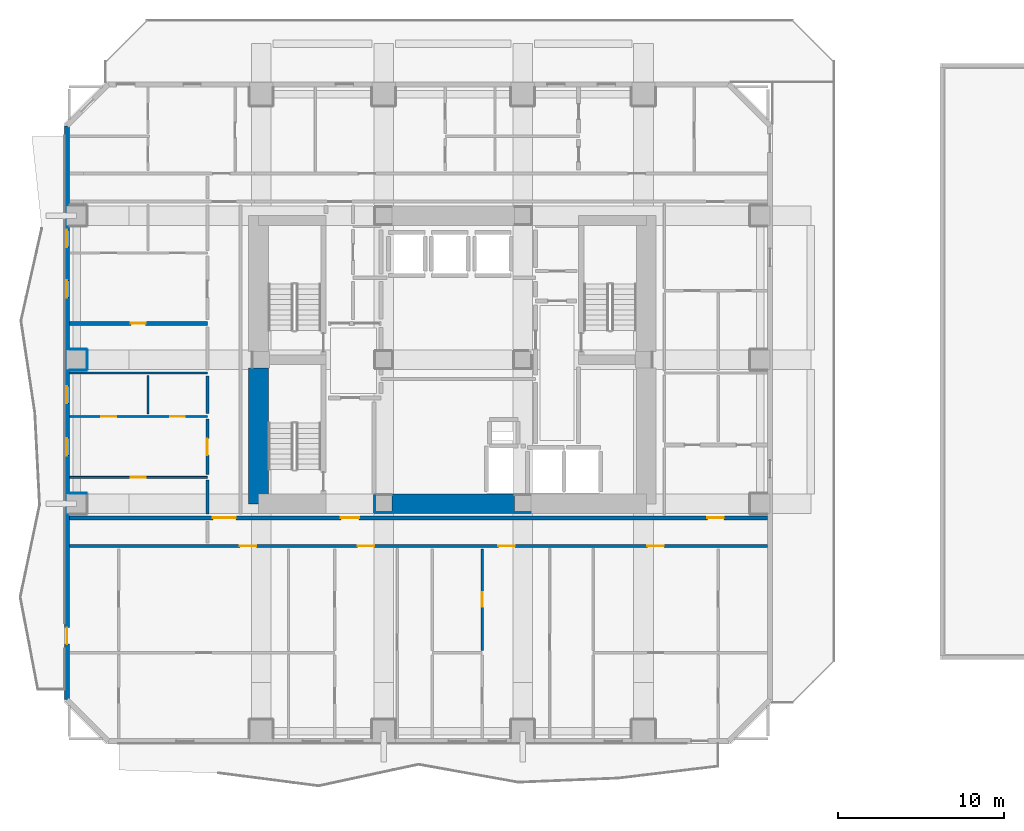
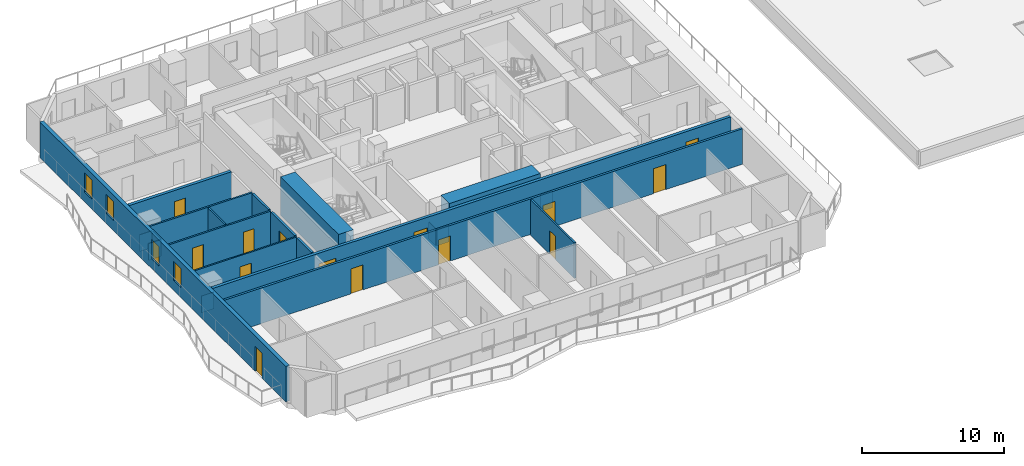
# One storey, part 4 of 13: 21 walls, 14 doors, 4 windows, 18 openings.
"""IFC4 building model written with IfcOpenShell, lengths in metres."""

from ifc_helpers import new_model, si_unit, direction, frame, frame_2d, origin, place, context, subcontext, project, spatial, rectangle, extrude, material, layer, layer_set, type_object, element, fill, save


model = new_model("IFC4")

# Units and contexts
model_context = context("Model", 3, precision=1e-05, world=origin(), true_north=direction((0.0, 1.0)))
body_context = subcontext(model_context, "Body", "Model", "MODEL_VIEW")
ifc_project = project(units=[si_unit("LENGTHUNIT", "METRE"), si_unit("AREAUNIT", "SQUARE_METRE"), si_unit("VOLUMEUNIT", "CUBIC_METRE"), si_unit("PLANEANGLEUNIT", "RADIAN"), si_unit("MASSUNIT", "GRAM", prefix="KILO")], contexts=[model_context])

# Site, building, storey
site_placement = place(None, origin())
site = spatial("IfcSite", under=ifc_project, at=site_placement, CompositionType="ELEMENT")
building_placement = place(site_placement, origin())
building = spatial("IfcBuilding", under=site, at=building_placement, Name="Solanera Arch Residences", CompositionType="ELEMENT")
storey_placement = place(building_placement, frame((0.0, 0.0, 22.0)))
storey = spatial("IfcBuildingStorey", under=building, at=storey_placement, Name="L05", CompositionType="ELEMENT", Elevation=22.0)

# Walls
ifc_material_1 = material(Name="Fire-Rated Gypsum Stud Partition", Category="gypsum")
ifc_layer_1 = layer(ifc_material_1, 0.06005859375)
ifc_layer_set_1 = layer_set([ifc_layer_1], Name="Fire-Rated Gypsum Stud Partition")
wall_type_1 = type_object("IfcWallType", Name="Column Acoustic Furring Wall 60", PredefinedType="PARTITIONING", material=ifc_layer_set_1)
wall_1_placement = place(storey_placement, frame((20.300048828125, 21.468017578125, 0.0), z_axis=(0.0, 0.0, 1.0), x_axis=(1.0, 0.0, 0.0)))
element("IfcWall", 1, at=wall_1_placement, inside=storey, type_object=wall_type_1, Name="L05 Column Furring 1S", PredefinedType="PARTITIONING", context=body_context, shape_type="SweptSolid", body=[
    extrude(rectangle(XDim=0.989990234375, YDim=0.06005859375, at=frame_2d((0.4951171875, 0.0))), origin(), (0.0, 0.0, 1.0), 1.449951171875),
])
wall_2_placement = place(storey_placement, frame((20.26806640625, 21.5, 0.0), z_axis=(0.0, 0.0, 1.0), x_axis=(0.0, 1.0, 0.0)))
element("IfcWall", 2, at=wall_2_placement, inside=storey, type_object=wall_type_1, Name="L05 Column Furring 1W", PredefinedType="PARTITIONING", context=body_context, shape_type="SweptSolid", body=[
    extrude(rectangle(XDim=1.0, YDim=0.06005859375, at=frame_2d((0.5, 0.0))), origin(), (0.0, 0.0, 1.0), 1.449951171875),
])
wall_3_placement = place(storey_placement, frame((28.7099609375, 21.468017578125, 0.0), z_axis=(0.0, 0.0, 1.0), x_axis=(1.0, 0.0, 0.0)))
element("IfcWall", 3, at=wall_3_placement, inside=storey, type_object=wall_type_1, Name="L05 Column Furring 2S", PredefinedType="PARTITIONING", context=body_context, shape_type="SweptSolid", body=[
    extrude(rectangle(XDim=0.97998046875, YDim=0.06005859375, at=frame_2d((0.489990234375, 0.0))), origin(), (0.0, 0.0, 1.0), 1.449951171875),
])
for number, where, z_axis, x_axis, name in (
    (4, (1.830078125, 22.632080078125, 0.0), (0.0, 0.0, 1.0), (1.0, 0.0, 0.0), "L05 Column Furring 17N"),
    (5, (1.830078125, 30.068115234375, 0.0), (0.0, 0.0, 1.0), (1.0, 0.0, 0.0), "L05 Column Furring 19S"),
    (6, (1.830078125, 31.33203125, 0.0), (0.0, 0.0, 1.0), (1.0, 0.0, 0.0), "L05 Column Furring 19N"),
):
    element("IfcWall", number, at=place(storey_placement, frame(where, z_axis=z_axis, x_axis=x_axis)), inside=storey, type_object=wall_type_1, Name=name, PredefinedType="PARTITIONING", context=body_context, shape_type="SweptSolid", body=[
        extrude(rectangle(XDim=1.02001953125, YDim=0.06005859375, at=frame_2d((0.510009765625, 0.0))), origin(), (0.0, 0.0, 1.0), 1.449951171875),
    ])
wall_4_placement = place(storey_placement, frame((2.882080078125, 30.10009765625, 0.0), z_axis=(0.0, 0.0, 1.0), x_axis=(0.0, 1.0, 0.0)))
element("IfcWall", 7, at=wall_4_placement, inside=storey, type_object=wall_type_1, Name="L05 Column Furring 19E", PredefinedType="PARTITIONING", context=body_context, shape_type="SweptSolid", body=[
    extrude(rectangle(XDim=1.199951171875, YDim=0.06005859375, at=frame_2d((0.60009765625, 0.0))), origin(), (0.0, 0.0, 1.0), 1.449951171875),
])
ifc_material_2 = material(Name="Concrete C55/67 (f'c = 60 MPa)", Category="concrete")
ifc_layer_2 = layer(ifc_material_2, 1.199951171875)
ifc_layer_set_2 = layer_set([ifc_layer_2], Name="Concrete C55/67 (f'c = 60 MPa)")
wall_type_2 = type_object("IfcWallType", Name="Core Shear Wall CW-1200", PredefinedType="SHEAR", material=ifc_layer_set_2)
wall_5_placement = place(storey_placement, frame((13.239990234375, 22.0, 0.0), z_axis=(0.0, 0.0, 1.0), x_axis=(0.0, 1.0, 0.0)))
element("IfcWall", 8, at=wall_5_placement, inside=storey, type_object=wall_type_2, Name="L05 West Core South Shear Wall", PredefinedType="SHEAR", context=body_context, shape_type="SweptSolid", body=[
    extrude(rectangle(XDim=8.195068359375, YDim=1.199951171875, at=frame_2d((4.09765625, 0.0))), origin(), (0.0, 0.0, 1.0), 3.320068359375),
])
wall_6_placement = place(storey_placement, frame((21.304931640625, 22.0, 0.0), z_axis=(0.0, 0.0, 1.0), x_axis=(1.0, 0.0, 0.0)))
element("IfcWall", 9, at=wall_6_placement, inside=storey, type_object=wall_type_2, Name="L05 Central South Core Shear Wall", PredefinedType="SHEAR", context=body_context, shape_type="SweptSolid", body=[
    extrude(rectangle(XDim=7.39013671875, YDim=1.199951171875, at=frame_2d((3.695068359375, 0.0))), origin(), (0.0, 0.0, 1.0), 3.320068359375),
])

# Wall, openings, doors
ifc_material_3 = material(Name="Autoclaved Aerated Concrete Blockwork", Category="masonry")
ifc_layer_3 = layer(ifc_material_3, 0.179931640625)
ifc_layer_set_3 = layer_set([ifc_layer_3], Name="Autoclaved Aerated Concrete Blockwork")
wall_type_3 = type_object("IfcWallType", Name="Corridor Fire Partition 180", PredefinedType="PARTITIONING", material=ifc_layer_set_3)
wall_7_placement = place(storey_placement, frame((1.826904296875, 19.449951171875, 0.0), z_axis=(0.0, 0.0, 1.0), x_axis=(1.0, 0.0, 0.0)))
wall_7 = element("IfcWall", 10, at=wall_7_placement, inside=storey, type_object=wall_type_3, Name="L05 Interior Partition H9", PredefinedType="PARTITIONING", context=body_context, shape_type="SweptSolid", body=[
    extrude(rectangle(XDim=42.14599609375, YDim=0.179931640625, at=frame_2d((21.072998046875, 0.0))), origin(), (0.0, 0.0, 1.0), 3.06005859375),
])
opening_1_placement = place(wall_7_placement, frame((10.282958984375, 0.0, 0.0)))
opening_1 = element("IfcOpeningElement", 11, at=opening_1_placement, cuts=wall_7, Name="Opening DI-01", PredefinedType="OPENING", context=body_context, shape_type="SweptSolid", body=[
    extrude(rectangle(XDim=1.0, YDim=2.14990234375, at=frame_2d((0.5, 1.074951171875))), frame((0.0, 0.10009765625, 0.0), z_axis=(0.0, -1.0, 0.0), x_axis=(1.0, 0.0, 0.0)), (0.0, 0.0, 1.0), 0.1999),
])
opening_2_placement = place(wall_7_placement, frame((17.402099609375, 0.0, 0.0)))
opening_2 = element("IfcOpeningElement", 12, at=opening_2_placement, cuts=wall_7, Name="Opening DI-01", PredefinedType="OPENING", context=body_context, shape_type="SweptSolid", body=[
    extrude(rectangle(XDim=1.0, YDim=2.14990234375, at=frame_2d((0.5, 1.074951171875))), frame((0.0, 0.10009765625, 0.0), z_axis=(0.0, -1.0, 0.0), x_axis=(1.0, 0.0, 0.0)), (0.0, 0.0, 1.0), 0.1999),
])
opening_3_placement = place(wall_7_placement, frame((25.904052734375, 0.0, 0.0)))
opening_3 = element("IfcOpeningElement", 13, at=opening_3_placement, cuts=wall_7, Name="Opening DI-01", PredefinedType="OPENING", context=body_context, shape_type="SweptSolid", body=[
    extrude(rectangle(XDim=1.0, YDim=2.14990234375, at=frame_2d((0.5, 1.074951171875))), frame((0.0, 0.10009765625, 0.0), z_axis=(0.0, -1.0, 0.0), x_axis=(1.0, 0.0, 0.0)), (0.0, 0.0, 1.0), 0.1999),
])
opening_4_placement = place(wall_7_placement, frame((34.89892578125, 0.0, 0.0)))
opening_4 = element("IfcOpeningElement", 14, at=opening_4_placement, cuts=wall_7, Name="Opening DI-01", PredefinedType="OPENING", context=body_context, shape_type="SweptSolid", body=[
    extrude(rectangle(XDim=1.0, YDim=2.14990234375, at=frame_2d((0.5, 1.074951171875))), frame((0.0, 0.10009765625, 0.0), z_axis=(0.0, -1.0, 0.0), x_axis=(1.0, 0.0, 0.0)), (0.0, 0.0, 1.0), 0.1999),
])
ifc_material_4 = material(Name="Fire-Rated Architectural Hardwood", Category="wood")
door_type_1 = type_object("IfcDoorType", Name="Unit Entrance Fire Door DI-01", OperationType="NOTDEFINED", PredefinedType="DOOR", material=ifc_material_4)
door_1_placement = place(opening_1_placement, origin())
door_1 = element("IfcDoor", 15, at=door_1_placement, inside=storey, type_object=door_type_1, Name="DR-L05-IN-015", OperationType="SINGLE_SWING_RIGHT", OverallHeight=2.14990234375, OverallWidth=1.0, PredefinedType="DOOR", context=body_context, shape_type="SweptSolid", body=[
    extrude(rectangle(XDim=1.0, YDim=2.14990234375, at=frame_2d((0.5, 1.074951171875))), frame((0.0, 0.02490234375, 0.0), z_axis=(0.0, -1.0, 0.0), x_axis=(1.0, 0.0, 0.0)), (0.0, 0.0, 1.0), 0.050048828125),
])
fill(opening_1, door_1)
door_2_placement = place(opening_2_placement, origin())
door_2 = element("IfcDoor", 16, at=door_2_placement, inside=storey, type_object=door_type_1, Name="DR-L05-IN-019", OperationType="SINGLE_SWING_RIGHT", OverallHeight=2.14990234375, OverallWidth=1.0, PredefinedType="DOOR", context=body_context, shape_type="SweptSolid", body=[
    extrude(rectangle(XDim=1.0, YDim=2.14990234375, at=frame_2d((0.5, 1.074951171875))), frame((0.0, 0.02490234375, 0.0), z_axis=(0.0, -1.0, 0.0), x_axis=(1.0, 0.0, 0.0)), (0.0, 0.0, 1.0), 0.050048828125),
])
fill(opening_2, door_2)
door_3_placement = place(opening_3_placement, origin())
door_3 = element("IfcDoor", 17, at=door_3_placement, inside=storey, type_object=door_type_1, Name="DR-L05-IN-023", OperationType="SINGLE_SWING_RIGHT", OverallHeight=2.14990234375, OverallWidth=1.0, PredefinedType="DOOR", context=body_context, shape_type="SweptSolid", body=[
    extrude(rectangle(XDim=1.0, YDim=2.14990234375, at=frame_2d((0.5, 1.074951171875))), frame((0.0, 0.02490234375, 0.0), z_axis=(0.0, -1.0, 0.0), x_axis=(1.0, 0.0, 0.0)), (0.0, 0.0, 1.0), 0.050048828125),
])
fill(opening_3, door_3)
door_4_placement = place(opening_4_placement, origin())
door_4 = element("IfcDoor", 18, at=door_4_placement, inside=storey, type_object=door_type_1, Name="DR-L05-IN-027", OperationType="SINGLE_SWING_RIGHT", OverallHeight=2.14990234375, OverallWidth=1.0, PredefinedType="DOOR", context=body_context, shape_type="SweptSolid", body=[
    extrude(rectangle(XDim=1.0, YDim=2.14990234375, at=frame_2d((0.5, 1.074951171875))), frame((0.0, 0.02490234375, 0.0), z_axis=(0.0, -1.0, 0.0), x_axis=(1.0, 0.0, 0.0)), (0.0, 0.0, 1.0), 0.050048828125),
])
fill(opening_4, door_4)

# Wall
wall_8_placement = place(storey_placement, frame((10.14990234375, 21.367919921875, 0.0), z_axis=(0.0, 0.0, 1.0), x_axis=(0.0, 1.0, 0.0)))
element("IfcWall", 19, at=wall_8_placement, inside=storey, type_object=wall_type_3, Name="L05 Interior Partition V8 2", PredefinedType="PARTITIONING", context=body_context, shape_type="SweptSolid", body=[
    extrude(rectangle(XDim=2.073974609375, YDim=0.179931640625, at=frame_2d((1.037109375, 0.0))), origin(), (0.0, 0.0, 1.0), 3.06005859375),
])

# Wall, opening, door
wall_9_placement = place(storey_placement, frame((10.14990234375, 23.758056640625, 0.0), z_axis=(0.0, 0.0, 1.0), x_axis=(0.0, 1.0, 0.0)))
wall_9 = element("IfcWall", 20, at=wall_9_placement, inside=storey, type_object=wall_type_3, Name="L05 Interior Partition V8 3", PredefinedType="PARTITIONING", context=body_context, shape_type="SweptSolid", body=[
    extrude(rectangle(XDim=3.348876953125, YDim=0.179931640625, at=frame_2d((1.67431640625, 0.0))), origin(), (0.0, 0.0, 1.0), 3.06005859375),
])
opening_5_placement = place(wall_9_placement, frame((1.179931640625, 0.0, 0.0)))
opening_5 = element("IfcOpeningElement", 21, at=opening_5_placement, cuts=wall_9, Name="Opening DI-01", PredefinedType="OPENING", context=body_context, shape_type="SweptSolid", body=[
    extrude(rectangle(XDim=1.0, YDim=2.14990234375, at=frame_2d((0.5, 1.074951171875))), frame((0.0, 0.10009765625, 0.0), z_axis=(0.0, -1.0, 0.0), x_axis=(1.0, 0.0, 0.0)), (0.0, 0.0, 1.0), 0.1999),
])
door_5_placement = place(opening_5_placement, origin())
door_5 = element("IfcDoor", 22, at=door_5_placement, inside=storey, type_object=door_type_1, Name="DR-L05-IN-042", OperationType="SINGLE_SWING_LEFT", OverallHeight=2.14990234375, OverallWidth=1.0, PredefinedType="DOOR", context=body_context, shape_type="SweptSolid", body=[
    extrude(rectangle(XDim=1.0, YDim=2.14990234375, at=frame_2d((0.5, 1.074951171875))), frame((0.0, 0.02490234375, 0.0), z_axis=(0.0, -1.0, 0.0), x_axis=(1.0, 0.0, 0.0)), (0.0, 0.0, 1.0), 0.050048828125),
])
fill(opening_5, door_5)

# Wall
wall_10_placement = place(storey_placement, frame((10.14990234375, 27.443115234375, 0.0), z_axis=(0.0, 0.0, 1.0), x_axis=(0.0, 1.0, 0.0)))
element("IfcWall", 23, at=wall_10_placement, inside=storey, type_object=wall_type_3, Name="L05 Interior Partition V8 4", PredefinedType="PARTITIONING", context=body_context, shape_type="SweptSolid", body=[
    extrude(rectangle(XDim=2.288818359375, YDim=0.179931640625, at=frame_2d((1.14453125, 0.0))), origin(), (0.0, 0.0, 1.0), 3.06005859375),
])

# Wall, openings, door, windows
ifc_material_5 = material(Name="Precast Concrete C35/45", Category="concrete")
ifc_layer_4 = layer(ifc_material_5, 0.300048828125)
ifc_layer_set_4 = layer_set([ifc_layer_4], Name="Precast Concrete C35/45")
wall_type_4 = type_object("IfcWallType", Name="Exterior Wall Precast Masonry-Frame 300", PredefinedType="STANDARD", material=ifc_layer_set_4)
wall_11_placement = place(storey_placement, frame((1.6650390625, 10.1650390625, 0.0), z_axis=(0.0, 0.0, 1.0), x_axis=(0.0, 1.0, 0.0)))
wall_11 = element("IfcWall", 24, at=wall_11_placement, inside=storey, type_object=wall_type_4, Name="L05 Tower Exterior Precast Masonry-Frame Wall W", PredefinedType="STANDARD", context=body_context, shape_type="SweptSolid", body=[
    extrude(rectangle(XDim=34.669921875, YDim=0.300048828125, at=frame_2d((17.3349609375, 0.0))), origin(), (0.0, 0.0, 1.0), 3.06005859375),
])
opening_6_placement = place(wall_11_placement, frame((3.35205078125, 0.0, 0.0)))
opening_6 = element("IfcOpeningElement", 25, at=opening_6_placement, cuts=wall_11, Name="Opening DB-01", PredefinedType="OPENING", context=body_context, shape_type="SweptSolid", body=[
    extrude(rectangle(XDim=1.0, YDim=2.14990234375, at=frame_2d((0.5, 1.074951171875))), frame((0.0, 0.159912109375, 0.0), z_axis=(0.0, -1.0, 0.0), x_axis=(1.0, 0.0, 0.0)), (0.0, 0.0, 1.0), 0.32),
])
opening_7_placement = place(wall_11_placement, frame((14.748046875, 0.0, 0.85009765625)))
opening_7 = element("IfcOpeningElement", 26, at=opening_7_placement, cuts=wall_11, Name="Opening W-07", PredefinedType="OPENING", context=body_context, shape_type="SweptSolid", body=[
    extrude(rectangle(XDim=1.050048828125, YDim=1.64990234375, at=frame_2d((0.52490234375, 0.824951171875))), frame((0.0, 0.159912109375, 0.0), z_axis=(0.0, -1.0, 0.0), x_axis=(1.0, 0.0, 0.0)), (0.0, 0.0, 1.0), 0.32),
])
opening_8_placement = place(wall_11_placement, frame((17.89794921875, 0.0, 0.85009765625)))
opening_8 = element("IfcOpeningElement", 27, at=opening_8_placement, cuts=wall_11, Name="Opening W-07", PredefinedType="OPENING", context=body_context, shape_type="SweptSolid", body=[
    extrude(rectangle(XDim=1.050048828125, YDim=1.64990234375, at=frame_2d((0.52490234375, 0.824951171875))), frame((0.0, 0.159912109375, 0.0), z_axis=(0.0, -1.0, 0.0), x_axis=(1.0, 0.0, 0.0)), (0.0, 0.0, 1.0), 0.32),
])
opening_9_placement = place(wall_11_placement, frame((24.281982421875, 0.0, 0.85009765625)))
opening_9 = element("IfcOpeningElement", 28, at=opening_9_placement, cuts=wall_11, Name="Opening W-07", PredefinedType="OPENING", context=body_context, shape_type="SweptSolid", body=[
    extrude(rectangle(XDim=1.050048828125, YDim=1.64990234375, at=frame_2d((0.52490234375, 0.824951171875))), frame((0.0, 0.159912109375, 0.0), z_axis=(0.0, -1.0, 0.0), x_axis=(1.0, 0.0, 0.0)), (0.0, 0.0, 1.0), 0.32),
])
opening_10_placement = place(wall_11_placement, frame((27.3330078125, 0.0, 0.85009765625)))
opening_10 = element("IfcOpeningElement", 29, at=opening_10_placement, cuts=wall_11, Name="Opening W-07", PredefinedType="OPENING", context=body_context, shape_type="SweptSolid", body=[
    extrude(rectangle(XDim=1.050048828125, YDim=1.64990234375, at=frame_2d((0.52490234375, 0.824951171875))), frame((0.0, 0.159912109375, 0.0), z_axis=(0.0, -1.0, 0.0), x_axis=(1.0, 0.0, 0.0)), (0.0, 0.0, 1.0), 0.32),
])
ifc_material_6 = material(Name="Anodised Aluminium Alloy 6063-T6", Category="aluminium")
door_type_2 = type_object("IfcDoorType", Name="Glazed Balcony Swing Door DB-01", OperationType="NOTDEFINED", PredefinedType="DOOR", material=ifc_material_6)
door_6_placement = place(opening_6_placement, origin())
door_6 = element("IfcDoor", 30, at=door_6_placement, inside=storey, type_object=door_type_2, Name="DR-L05-OUT-04", OperationType="SINGLE_SWING_RIGHT", OverallHeight=2.14990234375, OverallWidth=1.0, PredefinedType="DOOR", context=body_context, shape_type="SweptSolid", body=[
    extrude(rectangle(XDim=1.0, YDim=2.14990234375, at=frame_2d((0.5, 1.074951171875))), frame((0.0, 0.02490234375, 0.0), z_axis=(0.0, -1.0, 0.0), x_axis=(1.0, 0.0, 0.0)), (0.0, 0.0, 1.0), 0.050048828125),
])
fill(opening_6, door_6)
ifc_material_7 = material(Name="Double Glazed Low-E Laminated Glass", Category="glass")
window_type = type_object("IfcWindowType", Name="Punched Window W-07", PartitioningType="SINGLE_PANEL", PredefinedType="WINDOW", material=ifc_material_7)
window_1_placement = place(opening_7_placement, origin())
window_1 = element("IfcWindow", 31, at=window_1_placement, inside=storey, type_object=window_type, Name="L05 0508-LIV Punched Window", OverallHeight=1.64990234375, OverallWidth=1.050048828125, PartitioningType="SINGLE_PANEL", PredefinedType="WINDOW", context=body_context, shape_type="SweptSolid", body=[
    extrude(rectangle(XDim=1.050048828125, YDim=1.64990234375, at=frame_2d((0.52490234375, 0.824951171875))), frame((0.0, 0.030029296875, 0.0), z_axis=(0.0, -1.0, 0.0), x_axis=(1.0, 0.0, 0.0)), (0.0, 0.0, 1.0), 0.06005859375),
])
fill(opening_7, window_1)
window_2_placement = place(opening_8_placement, origin())
window_2 = element("IfcWindow", 32, at=window_2_placement, inside=storey, type_object=window_type, Name="L05 0508-BR1 Punched Window", OverallHeight=1.64990234375, OverallWidth=1.050048828125, PartitioningType="SINGLE_PANEL", PredefinedType="WINDOW", context=body_context, shape_type="SweptSolid", body=[
    extrude(rectangle(XDim=1.050048828125, YDim=1.64990234375, at=frame_2d((0.52490234375, 0.824951171875))), frame((0.0, 0.030029296875, 0.0), z_axis=(0.0, -1.0, 0.0), x_axis=(1.0, 0.0, 0.0)), (0.0, 0.0, 1.0), 0.06005859375),
])
fill(opening_8, window_2)
window_3_placement = place(opening_9_placement, origin())
window_3 = element("IfcWindow", 33, at=window_3_placement, inside=storey, type_object=window_type, Name="L05 0509-LIV Punched Window", OverallHeight=1.64990234375, OverallWidth=1.050048828125, PartitioningType="SINGLE_PANEL", PredefinedType="WINDOW", context=body_context, shape_type="SweptSolid", body=[
    extrude(rectangle(XDim=1.050048828125, YDim=1.64990234375, at=frame_2d((0.52490234375, 0.824951171875))), frame((0.0, 0.030029296875, 0.0), z_axis=(0.0, -1.0, 0.0), x_axis=(1.0, 0.0, 0.0)), (0.0, 0.0, 1.0), 0.06005859375),
])
fill(opening_9, window_3)
window_4_placement = place(opening_10_placement, origin())
window_4 = element("IfcWindow", 34, at=window_4_placement, inside=storey, type_object=window_type, Name="L05 0509-BR1 Punched Window", OverallHeight=1.64990234375, OverallWidth=1.050048828125, PartitioningType="SINGLE_PANEL", PredefinedType="WINDOW", context=body_context, shape_type="SweptSolid", body=[
    extrude(rectangle(XDim=1.050048828125, YDim=1.64990234375, at=frame_2d((0.52490234375, 0.824951171875))), frame((0.0, 0.030029296875, 0.0), z_axis=(0.0, -1.0, 0.0), x_axis=(1.0, 0.0, 0.0)), (0.0, 0.0, 1.0), 0.06005859375),
])
fill(opening_10, window_4)

# Wall, openings, doors
ifc_material_8 = material(Name="Autoclaved Aerated Concrete Blockwork", Category="masonry")
ifc_layer_5 = layer(ifc_material_8, 0.239990234375)
ifc_layer_set_5 = layer_set([ifc_layer_5], Name="Autoclaved Aerated Concrete Blockwork")
wall_type_5 = type_object("IfcWallType", Name="Shaft Wall Fire-Rated 240", PredefinedType="PARTITIONING", material=ifc_layer_set_5)
wall_12_placement = place(storey_placement, frame((1.826904296875, 21.14990234375, 0.0), z_axis=(0.0, 0.0, 1.0), x_axis=(1.0, 0.0, 0.0)))
wall_12 = element("IfcWall", 35, at=wall_12_placement, inside=storey, type_object=wall_type_5, Name="L05 Interior Partition H1", PredefinedType="PARTITIONING", context=body_context, shape_type="SweptSolid", body=[
    extrude(rectangle(XDim=42.14599609375, YDim=0.239990234375, at=frame_2d((21.072998046875, 0.0))), origin(), (0.0, 0.0, 1.0), 3.06005859375),
])
opening_11_placement = place(wall_12_placement, frame((16.383056640625, 0.0, 0.0)))
opening_11 = element("IfcOpeningElement", 36, at=opening_11_placement, cuts=wall_12, Name="Opening DF-02", PredefinedType="OPENING", context=body_context, shape_type="SweptSolid", body=[
    extrude(rectangle(XDim=1.10009765625, YDim=2.14990234375, at=frame_2d((0.550048828125, 1.074951171875))), frame((0.0, 0.1298828125, 0.0), z_axis=(0.0, -1.0, 0.0), x_axis=(1.0, 0.0, 0.0)), (0.0, 0.0, 1.0), 0.26),
])
opening_12_placement = place(wall_12_placement, frame((8.64697265625, 0.0, 0.0)))
opening_12 = element("IfcOpeningElement", 37, at=opening_12_placement, cuts=wall_12, Name="Opening DF-03", PredefinedType="OPENING", context=body_context, shape_type="SweptSolid", body=[
    extrude(rectangle(XDim=1.39990234375, YDim=2.14990234375, at=frame_2d((0.699951171875, 1.074951171875))), frame((0.0, 0.1298828125, 0.0), z_axis=(0.0, -1.0, 0.0), x_axis=(1.0, 0.0, 0.0)), (0.0, 0.0, 1.0), 0.26),
])
opening_13_placement = place(wall_12_placement, frame((38.52392578125, 0.0, 0.0)))
opening_13 = element("IfcOpeningElement", 38, at=opening_13_placement, cuts=wall_12, Name="Opening DI-01", PredefinedType="OPENING", context=body_context, shape_type="SweptSolid", body=[
    extrude(rectangle(XDim=1.0, YDim=2.14990234375, at=frame_2d((0.5, 1.074951171875))), frame((0.0, 0.1298828125, 0.0), z_axis=(0.0, -1.0, 0.0), x_axis=(1.0, 0.0, 0.0)), (0.0, 0.0, 1.0), 0.26),
])
ifc_material_9 = material(Name="Fire-Rated Architectural Hardwood", Category="wood")
door_type_3 = type_object("IfcDoorType", Name="Corridor Smoke Door DF-03", OperationType="NOTDEFINED", PredefinedType="DOOR", material=ifc_material_9)
door_7_placement = place(opening_12_placement, origin())
door_7 = element("IfcDoor", 39, at=door_7_placement, inside=storey, type_object=door_type_3, Name="DR-L05-IN-010", OperationType="SINGLE_SWING_LEFT", OverallHeight=2.14990234375, OverallWidth=1.39990234375, PredefinedType="DOOR", context=body_context, shape_type="SweptSolid", body=[
    extrude(rectangle(XDim=1.39990234375, YDim=2.14990234375, at=frame_2d((0.699951171875, 1.074951171875))), frame((0.0, 0.02490234375, 0.0), z_axis=(0.0, -1.0, 0.0), x_axis=(1.0, 0.0, 0.0)), (0.0, 0.0, 1.0), 0.050048828125),
])
fill(opening_12, door_7)
ifc_material_10 = material(Name="Fire-Rated Architectural Hardwood", Category="wood")
door_type_4 = type_object("IfcDoorType", Name="Firefighting Lobby Fire Door DF-02", OperationType="NOTDEFINED", PredefinedType="DOOR", material=ifc_material_10)
door_8_placement = place(opening_11_placement, origin())
door_8 = element("IfcDoor", 40, at=door_8_placement, inside=storey, type_object=door_type_4, Name="DR-L05-IN-008", OperationType="SINGLE_SWING_LEFT", OverallHeight=2.14990234375, OverallWidth=1.10009765625, PredefinedType="DOOR", context=body_context, shape_type="SweptSolid", body=[
    extrude(rectangle(XDim=1.10009765625, YDim=2.14990234375, at=frame_2d((0.550048828125, 1.074951171875))), frame((0.0, 0.02490234375, 0.0), z_axis=(0.0, -1.0, 0.0), x_axis=(1.0, 0.0, 0.0)), (0.0, 0.0, 1.0), 0.050048828125),
])
fill(opening_11, door_8)
door_9_placement = place(opening_13_placement, origin())
door_9 = element("IfcDoor", 41, at=door_9_placement, inside=storey, type_object=door_type_1, Name="DR-L05-IN-050", OperationType="SINGLE_SWING_LEFT", OverallHeight=2.14990234375, OverallWidth=1.0, PredefinedType="DOOR", context=body_context, shape_type="SweptSolid", body=[
    extrude(rectangle(XDim=1.0, YDim=2.14990234375, at=frame_2d((0.5, 1.074951171875))), frame((0.0, 0.02490234375, 0.0), z_axis=(0.0, -1.0, 0.0), x_axis=(1.0, 0.0, 0.0)), (0.0, 0.0, 1.0), 0.050048828125),
])
fill(opening_13, door_9)

# Wall, opening, door
wall_13_placement = place(storey_placement, frame((1.826904296875, 32.89990234375, 0.0), z_axis=(0.0, 0.0, 1.0), x_axis=(1.0, 0.0, 0.0)))
wall_13 = element("IfcWall", 42, at=wall_13_placement, inside=storey, type_object=wall_type_5, Name="L05 Interior Partition H5", PredefinedType="PARTITIONING", context=body_context, shape_type="SweptSolid", body=[
    extrude(rectangle(XDim=8.322998046875, YDim=0.239990234375, at=frame_2d((4.16162109375, 0.0))), origin(), (0.0, 0.0, 1.0), 3.06005859375),
])
opening_14_placement = place(wall_13_placement, frame((3.697998046875, 0.0, 0.0)))
opening_14 = element("IfcOpeningElement", 43, at=opening_14_placement, cuts=wall_13, Name="Opening DI-02", PredefinedType="OPENING", context=body_context, shape_type="SweptSolid", body=[
    extrude(rectangle(XDim=0.89990234375, YDim=2.10009765625, at=frame_2d((0.449951171875, 1.050048828125))), frame((0.0, 0.1298828125, 0.0), z_axis=(0.0, -1.0, 0.0), x_axis=(1.0, 0.0, 0.0)), (0.0, 0.0, 1.0), 0.26),
])
ifc_material_11 = material(Name="Fire-Rated Architectural Hardwood", Category="wood")
door_type_5 = type_object("IfcDoorType", Name="Suite Room Swing Door DI-02", OperationType="NOTDEFINED", PredefinedType="DOOR", material=ifc_material_11)
door_10_placement = place(opening_14_placement, origin())
door_10 = element("IfcDoor", 44, at=door_10_placement, inside=storey, type_object=door_type_5, Name="DR-L05-IN-047", OperationType="SINGLE_SWING_RIGHT", OverallHeight=2.10009765625, OverallWidth=0.89990234375, PredefinedType="DOOR", context=body_context, shape_type="SweptSolid", body=[
    extrude(rectangle(XDim=0.89990234375, YDim=2.10009765625, at=frame_2d((0.449951171875, 1.050048828125))), frame((0.0, 0.02490234375, 0.0), z_axis=(0.0, -1.0, 0.0), x_axis=(1.0, 0.0, 0.0)), (0.0, 0.0, 1.0), 0.050048828125),
])
fill(opening_14, door_10)

ifc_material_12 = material(Name="Fire-Rated Gypsum Stud Partition", Category="gypsum")
ifc_layer_6 = layer(ifc_material_12, 0.1201171875)
ifc_layer_set_6 = layer_set([ifc_layer_6], Name="Fire-Rated Gypsum Stud Partition")
wall_type_6 = type_object("IfcWallType", Name="Unit Drywall Partition 120", PredefinedType="PARTITIONING", material=ifc_layer_set_6)
wall_14_placement = place(storey_placement, frame((1.826904296875, 23.60009765625, 0.0), z_axis=(0.0, 0.0, 1.0), x_axis=(1.0, 0.0, 0.0)))
wall_14 = element("IfcWall", 45, at=wall_14_placement, inside=storey, type_object=wall_type_6, Name="L05 Interior Partition H28", PredefinedType="PARTITIONING", context=body_context, shape_type="SweptSolid", body=[
    extrude(rectangle(XDim=8.322998046875, YDim=0.1201171875, at=frame_2d((4.16162109375, 0.0))), origin(), (0.0, 0.0, 1.0), 3.06005859375),
])
opening_15_placement = place(wall_14_placement, frame((3.697998046875, 0.0, 0.0)))
opening_15 = element("IfcOpeningElement", 46, at=opening_15_placement, cuts=wall_14, Name="Opening DI-02", PredefinedType="OPENING", context=body_context, shape_type="SweptSolid", body=[
    extrude(rectangle(XDim=0.89990234375, YDim=2.10009765625, at=frame_2d((0.449951171875, 1.050048828125))), frame((0.0, 0.070068359375, 0.0), z_axis=(0.0, -1.0, 0.0), x_axis=(1.0, 0.0, 0.0)), (0.0, 0.0, 1.0), 0.1401),
])
door_11_placement = place(opening_15_placement, origin())
door_11 = element("IfcDoor", 47, at=door_11_placement, inside=storey, type_object=door_type_5, Name="DR-L05-IN-043", OperationType="SINGLE_SWING_RIGHT", OverallHeight=2.10009765625, OverallWidth=0.89990234375, PredefinedType="DOOR", context=body_context, shape_type="SweptSolid", body=[
    extrude(rectangle(XDim=0.89990234375, YDim=2.10009765625, at=frame_2d((0.449951171875, 1.050048828125))), frame((0.0, 0.02490234375, 0.0), z_axis=(0.0, -1.0, 0.0), x_axis=(1.0, 0.0, 0.0)), (0.0, 0.0, 1.0), 0.050048828125),
])
fill(opening_15, door_11)

# Wall, openings, doors
ifc_material_13 = material(Name="Autoclaved Aerated Concrete Blockwork", Category="masonry")
ifc_layer_7 = layer(ifc_material_13, 0.139892578125)
ifc_layer_set_7 = layer_set([ifc_layer_7], Name="Autoclaved Aerated Concrete Blockwork")
wall_type_7 = type_object("IfcWallType", Name="Wet-Room Partition 140", PredefinedType="PARTITIONING", material=ifc_layer_set_7)
wall_15_placement = place(storey_placement, frame((1.826904296875, 27.27490234375, 0.0), z_axis=(0.0, 0.0, 1.0), x_axis=(1.0, 0.0, 0.0)))
wall_15 = element("IfcWall", 48, at=wall_15_placement, inside=storey, type_object=wall_type_7, Name="L05 Interior Partition H18", PredefinedType="PARTITIONING", context=body_context, shape_type="SweptSolid", body=[
    extrude(rectangle(XDim=8.322998046875, YDim=0.139892578125, at=frame_2d((4.16162109375, 0.0))), origin(), (0.0, 0.0, 1.0), 3.06005859375),
])
opening_16_placement = place(wall_15_placement, frame((6.0849609375, 0.0, 0.0)))
opening_16 = element("IfcOpeningElement", 49, at=opening_16_placement, cuts=wall_15, Name="Opening DI-05", PredefinedType="OPENING", context=body_context, shape_type="SweptSolid", body=[
    extrude(rectangle(XDim=0.860107421875, YDim=2.02001953125, at=frame_2d((0.43017578125, 1.010009765625))), frame((0.0, 0.079833984375, 0.0), z_axis=(0.0, -1.0, 0.0), x_axis=(1.0, 0.0, 0.0)), (0.0, 0.0, 1.0), 0.1599),
])
opening_17_placement = place(wall_15_placement, frame((1.9150390625, 0.0, 0.0)))
opening_17 = element("IfcOpeningElement", 50, at=opening_17_placement, cuts=wall_15, Name="Opening DI-03", PredefinedType="OPENING", context=body_context, shape_type="SweptSolid", body=[
    extrude(rectangle(XDim=0.89990234375, YDim=2.10009765625, at=frame_2d((0.449951171875, 1.050048828125))), frame((0.0, 0.079833984375, 0.0), z_axis=(0.0, -1.0, 0.0), x_axis=(1.0, 0.0, 0.0)), (0.0, 0.0, 1.0), 0.1599),
])
ifc_material_14 = material(Name="Fire-Rated Architectural Hardwood", Category="wood")
door_type_6 = type_object("IfcDoorType", Name="Bathroom Swing Door DI-05", OperationType="NOTDEFINED", PredefinedType="DOOR", material=ifc_material_14)
door_12_placement = place(opening_16_placement, origin())
door_12 = element("IfcDoor", 51, at=door_12_placement, inside=storey, type_object=door_type_6, Name="DR-L05-IN-044", OperationType="SINGLE_SWING_LEFT", OverallHeight=2.02001953125, OverallWidth=0.860107421875, PredefinedType="DOOR", context=body_context, shape_type="SweptSolid", body=[
    extrude(rectangle(XDim=0.860107421875, YDim=2.02001953125, at=frame_2d((0.43017578125, 1.010009765625))), frame((0.0, 0.02490234375, 0.0), z_axis=(0.0, -1.0, 0.0), x_axis=(1.0, 0.0, 0.0)), (0.0, 0.0, 1.0), 0.050048828125),
])
fill(opening_16, door_12)
ifc_material_15 = material(Name="Fire-Rated Architectural Hardwood", Category="wood")
door_type_7 = type_object("IfcDoorType", Name="Bedroom Swing Door DI-03", OperationType="NOTDEFINED", PredefinedType="DOOR", material=ifc_material_15)
door_13_placement = place(opening_17_placement, origin())
door_13 = element("IfcDoor", 52, at=door_13_placement, inside=storey, type_object=door_type_7, Name="DR-L05-IN-045", OperationType="SINGLE_SWING_RIGHT", OverallHeight=2.10009765625, OverallWidth=0.89990234375, PredefinedType="DOOR", context=body_context, shape_type="SweptSolid", body=[
    extrude(rectangle(XDim=0.89990234375, YDim=2.10009765625, at=frame_2d((0.449951171875, 1.050048828125))), frame((0.0, 0.02490234375, 0.0), z_axis=(0.0, -1.0, 0.0), x_axis=(1.0, 0.0, 0.0)), (0.0, 0.0, 1.0), 0.050048828125),
])
fill(opening_17, door_13)

# Walls
wall_16_placement = place(storey_placement, frame((1.826904296875, 29.89990234375, 0.0), z_axis=(0.0, 0.0, 1.0), x_axis=(1.0, 0.0, 0.0)))
element("IfcWall", 53, at=wall_16_placement, inside=storey, type_object=wall_type_7, Name="L05 Interior Partition H19", PredefinedType="PARTITIONING", context=body_context, shape_type="SweptSolid", body=[
    extrude(rectangle(XDim=8.322998046875, YDim=0.139892578125, at=frame_2d((4.16162109375, 0.0))), origin(), (0.0, 0.0, 1.0), 3.06005859375),
])
wall_17_placement = place(storey_placement, frame((6.55908203125, 27.423095703125, 0.0), z_axis=(0.0, 0.0, 1.0), x_axis=(0.0, 1.0, 0.0)))
element("IfcWall", 54, at=wall_17_placement, inside=storey, type_object=wall_type_7, Name="L05 Interior Partition V15", PredefinedType="PARTITIONING", context=body_context, shape_type="SweptSolid", body=[
    extrude(rectangle(XDim=2.328857421875, YDim=0.139892578125, at=frame_2d((1.16455078125, 0.0))), origin(), (0.0, 0.0, 1.0), 3.06005859375),
])

# Wall, opening, door
wall_18_placement = place(storey_placement, frame((26.751953125, 13.14794921875, 0.0), z_axis=(0.0, 0.0, 1.0), x_axis=(0.0, 1.0, 0.0)))
wall_18 = element("IfcWall", 55, at=wall_18_placement, inside=storey, type_object=wall_type_7, Name="L05 Interior Partition V22 2", PredefinedType="PARTITIONING", context=body_context, shape_type="SweptSolid", body=[
    extrude(rectangle(XDim=6.134033203125, YDim=0.139892578125, at=frame_2d((3.06689453125, 0.0))), origin(), (0.0, 0.0, 1.0), 3.06005859375),
])
opening_18_placement = place(wall_18_placement, frame((2.634033203125, 0.0, 0.0)))
opening_18 = element("IfcOpeningElement", 56, at=opening_18_placement, cuts=wall_18, Name="Opening DI-05", PredefinedType="OPENING", context=body_context, shape_type="SweptSolid", body=[
    extrude(rectangle(XDim=0.860107421875, YDim=2.02001953125, at=frame_2d((0.43017578125, 1.010009765625))), frame((0.0, 0.079833984375, 0.0), z_axis=(0.0, -1.0, 0.0), x_axis=(1.0, 0.0, 0.0)), (0.0, 0.0, 1.0), 0.1599),
])
door_14_placement = place(opening_18_placement, origin())
door_14 = element("IfcDoor", 57, at=door_14_placement, inside=storey, type_object=door_type_6, Name="DR-L05-IN-024", OperationType="SINGLE_SWING_LEFT", OverallHeight=2.02001953125, OverallWidth=0.860107421875, PredefinedType="DOOR", context=body_context, shape_type="SweptSolid", body=[
    extrude(rectangle(XDim=0.860107421875, YDim=2.02001953125, at=frame_2d((0.43017578125, 1.010009765625))), frame((0.0, 0.02490234375, 0.0), z_axis=(0.0, -1.0, 0.0), x_axis=(1.0, 0.0, 0.0)), (0.0, 0.0, 1.0), 0.050048828125),
])
fill(opening_18, door_14)

save(model, "model.ifc")
